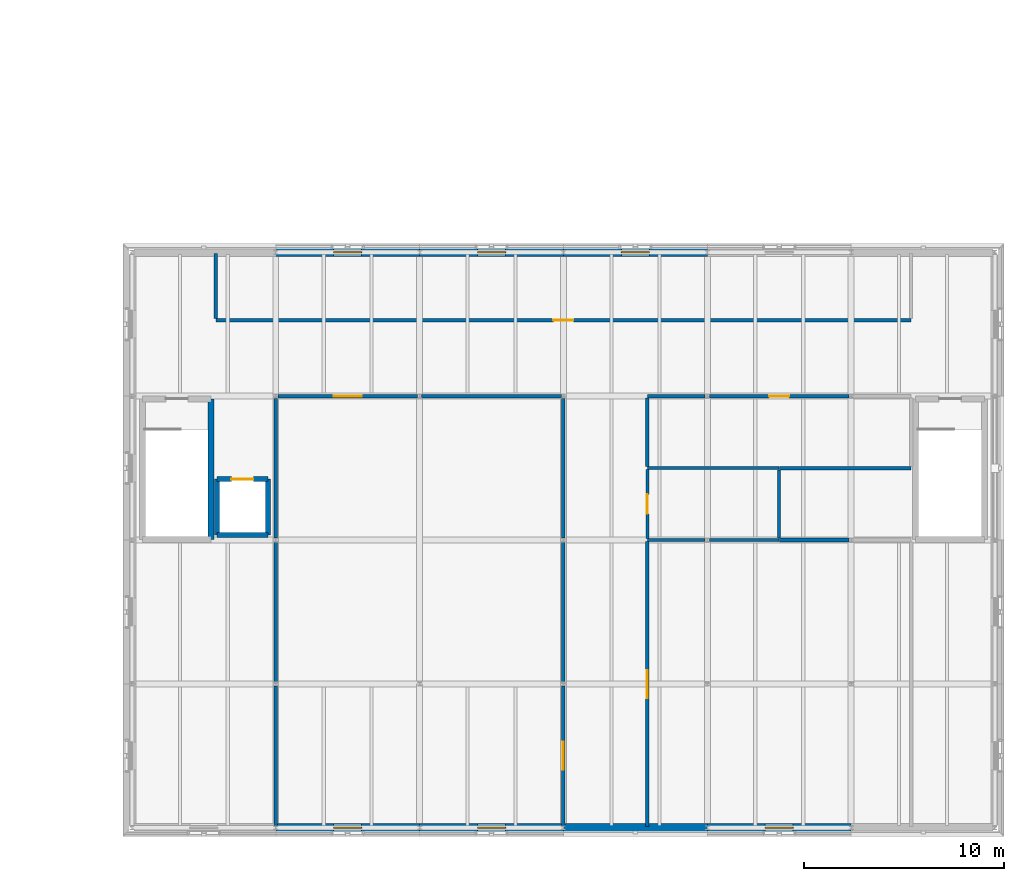
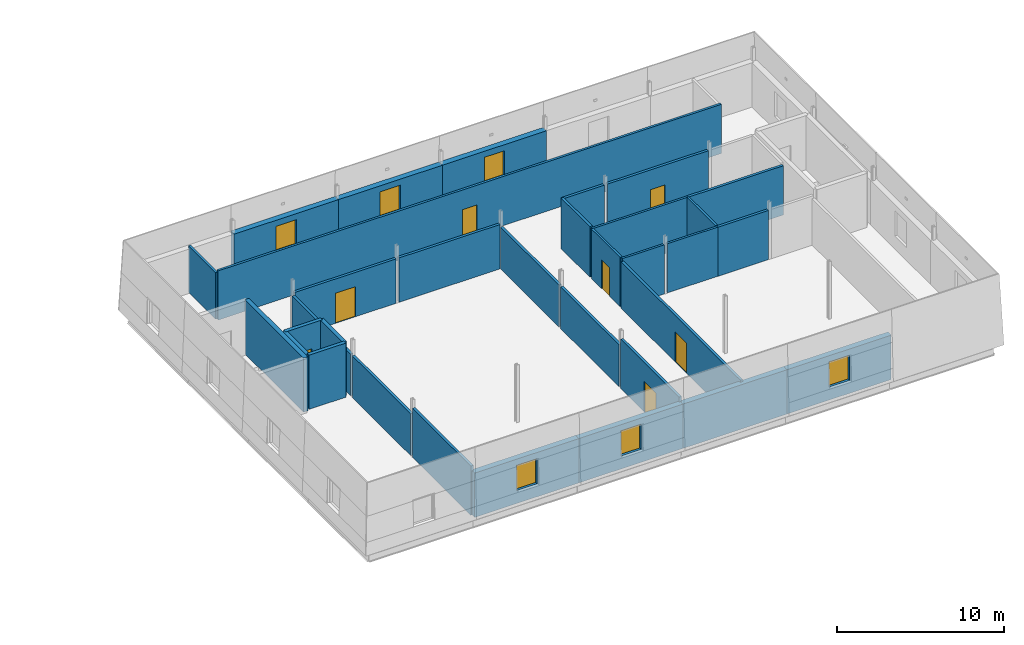
# One storey, part 65 of 91: 33 walls, 7 doors, 6 windows, 13 openings.
"""IFC4 building model written with IfcOpenShell, lengths in metres."""

from ifc_helpers import new_model, si_unit, direction, frame, frame_2d, origin, place, context, subcontext, project, spatial, rectangle, extrude, material, layer, layer_set, type_object, element, fill, save


model = new_model("IFC4")

# Units and contexts
model_context = context("Model", 3, precision=1e-05, world=origin(), true_north=direction((0.0, 1.0)))
body_context = subcontext(model_context, "Body", "Model", "MODEL_VIEW")
ifc_project = project(units=[si_unit("LENGTHUNIT", "METRE"), si_unit("AREAUNIT", "SQUARE_METRE"), si_unit("VOLUMEUNIT", "CUBIC_METRE"), si_unit("PLANEANGLEUNIT", "RADIAN"), si_unit("MASSUNIT", "GRAM", prefix="KILO")], contexts=[model_context])

# Site, building, storey
site_placement = place(None, origin())
site = spatial("IfcSite", under=ifc_project, at=site_placement, CompositionType="ELEMENT")
building_placement = place(site_placement, origin())
building = spatial("IfcBuilding", under=site, at=building_placement, Name="Narikvali Park Central Library", CompositionType="ELEMENT")
storey_placement = place(building_placement, frame((0.0, 0.0, 14.39990234375)))
storey = spatial("IfcBuildingStorey", under=building, at=storey_placement, Name="L03", CompositionType="ELEMENT", Elevation=14.39990234375)

# Walls
ifc_material_1 = material(Name="Moisture-Resistant Cement Board on Steel Studs", Category="steel")
ifc_layer_1 = layer(ifc_material_1, 0.14990234375, Name="Moisture-Resistant Cement Board on Steel Studs")
ifc_layer_set_1 = layer_set([ifc_layer_1], Name="Moisture-Resistant Cement Board on Steel Studs")
wall_type_1 = type_object("IfcWallType", Name="Moisture-Resistant WC Partition 150", PredefinedType="PARTITIONING", material=ifc_layer_set_1)
wall_1_placement = place(storey_placement, frame((148.199951171875, 14.39990234375, 0.0), z_axis=(0.0, 0.0, 1.0), x_axis=(1.0, 0.0, 0.0)))
element("IfcWall", 1, at=wall_1_placement, inside=storey, type_object=wall_type_1, Name="Upper Wing Accessible WC L03 Partition S", PredefinedType="PARTITIONING", context=body_context, shape_type="SweptSolid", body=[
    extrude(rectangle(XDim=2.89599609375, YDim=0.14990234375, at=frame_2d((1.447998046875, 0.0))), origin(), (0.0, 0.0, 1.0), 3.59521484375),
])
wall_2_placement = place(storey_placement, frame((151.303955078125, 14.39990234375, 0.0), z_axis=(0.0, 0.0, 1.0), x_axis=(1.0, 0.0, 0.0)))
element("IfcWall", 2, at=wall_2_placement, inside=storey, type_object=wall_type_1, Name="Upper Wing Accessible WC L03 Partition S", PredefinedType="PARTITIONING", context=body_context, shape_type="SweptSolid", body=[
    extrude(rectangle(XDim=3.49609375, YDim=0.14990234375, at=frame_2d((1.748046875, 0.0))), origin(), (0.0, 0.0, 1.0), 3.59521484375),
])
wall_3_placement = place(storey_placement, frame((148.199951171875, 18.0, 0.0), z_axis=(0.0, 0.0, 1.0), x_axis=(1.0, 0.0, 0.0)))
element("IfcWall", 3, at=wall_3_placement, inside=storey, type_object=wall_type_1, Name="Upper Wing Accessible WC L03 Partition N", PredefinedType="PARTITIONING", context=body_context, shape_type="SweptSolid", body=[
    extrude(rectangle(XDim=6.60009765625, YDim=0.14990234375, at=frame_2d((3.300048828125, 0.0))), origin(), (0.0, 0.0, 1.0), 3.59521484375),
])

# Wall, opening, door
wall_4_placement = place(storey_placement, frame((148.199951171875, 14.47705078125, 0.0), z_axis=(0.0, 0.0, 1.0), x_axis=(0.0, 1.0, 0.0)))
wall_4 = element("IfcWall", 4, at=wall_4_placement, inside=storey, type_object=wall_type_1, Name="Upper Wing Accessible WC L03 Partition W", PredefinedType="PARTITIONING", context=body_context, shape_type="SweptSolid", body=[
    extrude(rectangle(XDim=3.446044921875, YDim=0.14990234375, at=frame_2d((1.72314453125, 0.0))), origin(), (0.0, 0.0, 1.0), 3.625),
])
opening_1_placement = place(wall_4_placement, frame((1.23291015625, 0.0, 0.0)))
opening_1 = element("IfcOpeningElement", 5, at=opening_1_placement, cuts=wall_4, Name="Opening ID-0027", PredefinedType="OPENING", context=body_context, shape_type="SweptSolid", body=[
    extrude(rectangle(XDim=0.97998046875, YDim=2.10009765625, at=frame_2d((0.489990234375, 1.050048828125))), frame((0.0, 0.0869140625, 0.0), z_axis=(0.0, -1.0, 0.0), x_axis=(1.0, 0.0, 0.0)), (0.0, 0.0, 1.0), 0.173828125),
])
ifc_material_2 = material(Name="Laminate Faced Hardwood Core", Category="wood")
door_type_1 = type_object("IfcDoorType", Name="Accessible WC Outward-Opening Door 980x2100", OperationType="SINGLE_SWING_RIGHT", PredefinedType="DOOR", material=ifc_material_2)
door_1_placement = place(opening_1_placement, origin())
door_1 = element("IfcDoor", 6, at=door_1_placement, inside=storey, type_object=door_type_1, Name="Upper Wing Accessible WC L03 Door ID-0027", OperationType="SINGLE_SWING_LEFT", OverallHeight=2.10009765625, OverallWidth=0.97998046875, PredefinedType="DOOR", context=body_context, shape_type="SweptSolid", body=[
    extrude(rectangle(XDim=0.97998046875, YDim=2.10009765625, at=frame_2d((0.489990234375, 1.050048828125))), frame((0.0, 0.02490234375, 0.0), z_axis=(0.0, -1.0, 0.0), x_axis=(1.0, 0.0, 0.0)), (0.0, 0.0, 1.0), 0.050048828125),
])
fill(opening_1, door_1)

# Wall
wall_5_placement = place(storey_placement, frame((154.800048828125, 14.491943359375, 0.0), z_axis=(0.0, 0.0, 1.0), x_axis=(0.0, 1.0, 0.0)))
element("IfcWall", 7, at=wall_5_placement, inside=storey, type_object=wall_type_1, Name="Upper Wing Accessible WC L03 Partition E", PredefinedType="PARTITIONING", context=body_context, shape_type="SweptSolid", body=[
    extrude(rectangle(XDim=3.416015625, YDim=0.14990234375, at=frame_2d((1.7080078125, 0.0))), origin(), (0.0, 0.0, 1.0), 3.625),
])

# Wall, opening, door
ifc_material_3 = material(Name="Acoustic Gypsum on Steel Studs", Category="steel")
ifc_layer_2 = layer(ifc_material_3, 0.179931640625, Name="Acoustic Gypsum on Steel Studs")
ifc_layer_set_2 = layer_set([ifc_layer_2], Name="Acoustic Gypsum on Steel Studs")
wall_type_2 = type_object("IfcWallType", Name="Reading Room Acoustic Partition 180", PredefinedType="PARTITIONING", material=ifc_layer_set_2)
wall_6_placement = place(storey_placement, frame((129.7041015625, 21.60009765625, 0.0), z_axis=(0.0, 0.0, 1.0), x_axis=(1.0, 0.0, 0.0)))
wall_6 = element("IfcWall", 8, at=wall_6_placement, inside=storey, type_object=wall_type_2, Name="Community Reading Lounge Partition N", PredefinedType="PARTITIONING", context=body_context, shape_type="SweptSolid", body=[
    extrude(rectangle(XDim=6.991943359375, YDim=0.179931640625, at=frame_2d((3.49609375, 0.0))), origin(), (0.0, 0.0, 1.0), 3.2451171875),
])
opening_2_placement = place(wall_6_placement, frame((2.7958984375, 0.0, 0.0)))
opening_2 = element("IfcOpeningElement", 9, at=opening_2_placement, cuts=wall_6, Name="Opening ID-0166", PredefinedType="OPENING", context=body_context, shape_type="SweptSolid", body=[
    extrude(rectangle(XDim=1.39990234375, YDim=2.199951171875, at=frame_2d((0.699951171875, 1.10009765625))), frame((0.0, 0.10205078125, 0.0), z_axis=(0.0, -1.0, 0.0), x_axis=(1.0, 0.0, 0.0)), (0.0, 0.0, 1.0), 0.203857421875),
])
ifc_material_4 = material(Name="Caucasian Oak and Acoustic Glass", Category="glass")
door_type_2 = type_object("IfcDoorType", Name="Community Room Glazed Oak Door 1400x2200", OperationType="DOUBLE_DOOR_SINGLE_SWING", PredefinedType="DOOR", material=ifc_material_4)
door_2_placement = place(opening_2_placement, frame((1.39990234375, 0.0, 0.0), z_axis=(0.0, 0.0, 1.0), x_axis=(-1.0, 0.0, 0.0)))
door_2 = element("IfcDoor", 10, at=door_2_placement, inside=storey, type_object=door_type_2, Name="Community Reading Lounge Door ID-0166", OperationType="DOUBLE_DOOR_SINGLE_SWING", OverallHeight=2.199951171875, OverallWidth=1.39990234375, PredefinedType="DOOR", context=body_context, shape_type="SweptSolid", body=[
    extrude(rectangle(XDim=1.39990234375, YDim=2.199951171875, at=frame_2d((0.699951171875, 1.10009765625))), frame((0.0, 0.02490234375, 0.0), z_axis=(0.0, -1.0, 0.0), x_axis=(1.0, 0.0, 0.0)), (0.0, 0.0, 1.0), 0.050048828125),
])
fill(opening_2, door_2)

# Walls
wall_7_placement = place(storey_placement, frame((136.904052734375, 21.60009765625, 0.0), z_axis=(0.0, 0.0, 1.0), x_axis=(1.0, 0.0, 0.0)))
element("IfcWall", 11, at=wall_7_placement, inside=storey, type_object=wall_type_2, Name="Community Reading Lounge Partition N", PredefinedType="PARTITIONING", context=body_context, shape_type="SweptSolid", body=[
    extrude(rectangle(XDim=6.991943359375, YDim=0.179931640625, at=frame_2d((3.49609375, 0.0))), origin(), (0.0, 0.0, 1.0), 3.2451171875),
])
wall_8_placement = place(storey_placement, frame((154.802001953125, 14.39990234375, 0.0), z_axis=(0.0, 0.0, 1.0), x_axis=(1.0, 0.0, 0.0)))
element("IfcWall", 12, at=wall_8_placement, inside=storey, type_object=wall_type_2, Name="Park Overlook Seminar Room Partition N", PredefinedType="PARTITIONING", context=body_context, shape_type="SweptSolid", body=[
    extrude(rectangle(XDim=3.493896484375, YDim=0.179931640625, at=frame_2d((1.7470703125, 0.0))), origin(), (0.0, 0.0, 1.0), 3.59521484375),
])
wall_9_placement = place(storey_placement, frame((154.802001953125, 18.0, 0.0), z_axis=(0.0, 0.0, 1.0), x_axis=(1.0, 0.0, 0.0)))
element("IfcWall", 13, at=wall_9_placement, inside=storey, type_object=wall_type_2, Name="Upper Wing Reading Chair Store Partition S", PredefinedType="PARTITIONING", context=body_context, shape_type="SweptSolid", body=[
    extrude(rectangle(XDim=6.597900390625, YDim=0.179931640625, at=frame_2d((3.298828125, 0.0))), origin(), (0.0, 0.0, 1.0), 3.59521484375),
])
wall_10_placement = place(storey_placement, frame((148.199951171875, 21.60009765625, 0.0), z_axis=(0.0, 0.0, 1.0), x_axis=(1.0, 0.0, 0.0)))
element("IfcWall", 14, at=wall_10_placement, inside=storey, type_object=wall_type_2, Name="Upper Wing Reading Chair Store Partition N", PredefinedType="PARTITIONING", context=body_context, shape_type="SweptSolid", body=[
    extrude(rectangle(XDim=2.89599609375, YDim=0.179931640625, at=frame_2d((1.447998046875, 0.0))), origin(), (0.0, 0.0, 1.0), 3.59521484375),
])

# Wall, opening, door
wall_11_placement = place(storey_placement, frame((151.303955078125, 21.60009765625, 0.0), z_axis=(0.0, 0.0, 1.0), x_axis=(1.0, 0.0, 0.0)))
wall_11 = element("IfcWall", 15, at=wall_11_placement, inside=storey, type_object=wall_type_2, Name="Upper Wing Reading Chair Store Partition N", PredefinedType="PARTITIONING", context=body_context, shape_type="SweptSolid", body=[
    extrude(rectangle(XDim=6.991943359375, YDim=0.179931640625, at=frame_2d((3.49609375, 0.0))), origin(), (0.0, 0.0, 1.0), 3.59521484375),
])
opening_3_placement = place(wall_11_placement, frame((2.99609375, 0.0, 0.0)))
opening_3 = element("IfcOpeningElement", 16, at=opening_3_placement, cuts=wall_11, Name="Opening ID-0169", PredefinedType="OPENING", context=body_context, shape_type="SweptSolid", body=[
    extrude(rectangle(XDim=1.0, YDim=2.14990234375, at=frame_2d((0.5, 1.074951171875))), frame((0.0, 0.10205078125, 0.0), z_axis=(0.0, -1.0, 0.0), x_axis=(1.0, 0.0, 0.0)), (0.0, 0.0, 1.0), 0.203857421875),
])
ifc_material_5 = material(Name="Solid Caucasian Oak")
door_type_3 = type_object("IfcDoorType", Name="Study Room Single Oak Door 1000x2150", OperationType="SINGLE_SWING_LEFT", PredefinedType="DOOR", material=ifc_material_5)
door_3_placement = place(opening_3_placement, frame((1.0, 0.0, 0.0), z_axis=(0.0, 0.0, 1.0), x_axis=(-1.0, 0.0, 0.0)))
door_3 = element("IfcDoor", 17, at=door_3_placement, inside=storey, type_object=door_type_3, Name="Upper Wing Reading Chair Store Door ID-0169", OperationType="SINGLE_SWING_LEFT", OverallHeight=2.14990234375, OverallWidth=1.0, PredefinedType="DOOR", context=body_context, shape_type="SweptSolid", body=[
    extrude(rectangle(XDim=1.0, YDim=2.14990234375, at=frame_2d((0.5, 1.074951171875))), frame((0.0, 0.02490234375, 0.0), z_axis=(0.0, -1.0, 0.0), x_axis=(1.0, 0.0, 0.0)), (0.0, 0.0, 1.0), 0.050048828125),
])
fill(opening_3, door_3)

# Walls
wall_12_placement = place(storey_placement, frame((129.60009765625, 0.10400390625, 0.0), z_axis=(0.0, 0.0, 1.0), x_axis=(0.0, 1.0, 0.0)))
element("IfcWall", 18, at=wall_12_placement, inside=storey, type_object=wall_type_2, Name="Community Reading Lounge Partition W", PredefinedType="PARTITIONING", context=body_context, shape_type="SweptSolid", body=[
    extrude(rectangle(XDim=6.991943359375, YDim=0.179931640625, at=frame_2d((3.49609375, 0.0))), origin(), (0.0, 0.0, 1.0), 3.59521484375),
])
wall_13_placement = place(storey_placement, frame((129.60009765625, 7.303955078125, 0.0), z_axis=(0.0, 0.0, 1.0), x_axis=(0.0, 1.0, 0.0)))
element("IfcWall", 19, at=wall_13_placement, inside=storey, type_object=wall_type_2, Name="Community Reading Lounge Partition W", PredefinedType="PARTITIONING", context=body_context, shape_type="SweptSolid", body=[
    extrude(rectangle(XDim=6.991943359375, YDim=0.179931640625, at=frame_2d((3.49609375, 0.0))), origin(), (0.0, 0.0, 1.0), 3.05517578125),
])
wall_14_placement = place(storey_placement, frame((129.60009765625, 14.50390625, 0.0), z_axis=(0.0, 0.0, 1.0), x_axis=(0.0, 1.0, 0.0)))
element("IfcWall", 20, at=wall_14_placement, inside=storey, type_object=wall_type_2, Name="Community Reading Lounge Partition W", PredefinedType="PARTITIONING", context=body_context, shape_type="SweptSolid", body=[
    extrude(rectangle(XDim=6.9921875, YDim=0.179931640625, at=frame_2d((3.49609375, 0.0))), origin(), (0.0, 0.0, 1.0), 3.05517578125),
])

# Wall, opening, door
wall_15_placement = place(storey_placement, frame((144.0, 0.10400390625, 0.0), z_axis=(0.0, 0.0, 1.0), x_axis=(0.0, 1.0, 0.0)))
wall_15 = element("IfcWall", 21, at=wall_15_placement, inside=storey, type_object=wall_type_2, Name="Community Reading Lounge Partition E", PredefinedType="PARTITIONING", context=body_context, shape_type="SweptSolid", body=[
    extrude(rectangle(XDim=6.991943359375, YDim=0.179931640625, at=frame_2d((3.49609375, 0.0))), origin(), (0.0, 0.0, 1.0), 3.59521484375),
])
opening_4_placement = place(wall_15_placement, frame((2.7958984375, 0.0, 0.0)))
opening_4 = element("IfcOpeningElement", 22, at=opening_4_placement, cuts=wall_15, Name="Opening ID-0165", PredefinedType="OPENING", context=body_context, shape_type="SweptSolid", body=[
    extrude(rectangle(XDim=1.39990234375, YDim=2.199951171875, at=frame_2d((0.699951171875, 1.10009765625))), frame((0.0, 0.10205078125, 0.0), z_axis=(0.0, -1.0, 0.0), x_axis=(1.0, 0.0, 0.0)), (0.0, 0.0, 1.0), 0.203857421875),
])
door_4_placement = place(opening_4_placement, origin())
door_4 = element("IfcDoor", 23, at=door_4_placement, inside=storey, type_object=door_type_2, Name="Community Reading Lounge Door ID-0165", OperationType="DOUBLE_DOOR_SINGLE_SWING", OverallHeight=2.199951171875, OverallWidth=1.39990234375, PredefinedType="DOOR", context=body_context, shape_type="SweptSolid", body=[
    extrude(rectangle(XDim=1.39990234375, YDim=2.199951171875, at=frame_2d((0.699951171875, 1.10009765625))), frame((0.0, 0.02490234375, 0.0), z_axis=(0.0, -1.0, 0.0), x_axis=(1.0, 0.0, 0.0)), (0.0, 0.0, 1.0), 0.050048828125),
])
fill(opening_4, door_4)

# Walls
wall_16_placement = place(storey_placement, frame((144.0, 7.303955078125, 0.0), z_axis=(0.0, 0.0, 1.0), x_axis=(0.0, 1.0, 0.0)))
element("IfcWall", 24, at=wall_16_placement, inside=storey, type_object=wall_type_2, Name="Community Reading Lounge Partition E", PredefinedType="PARTITIONING", context=body_context, shape_type="SweptSolid", body=[
    extrude(rectangle(XDim=6.991943359375, YDim=0.179931640625, at=frame_2d((3.49609375, 0.0))), origin(), (0.0, 0.0, 1.0), 3.05517578125),
])
wall_17_placement = place(storey_placement, frame((144.0, 14.50390625, 0.0), z_axis=(0.0, 0.0, 1.0), x_axis=(0.0, 1.0, 0.0)))
element("IfcWall", 25, at=wall_17_placement, inside=storey, type_object=wall_type_2, Name="Community Reading Lounge Partition E", PredefinedType="PARTITIONING", context=body_context, shape_type="SweptSolid", body=[
    extrude(rectangle(XDim=6.9921875, YDim=0.179931640625, at=frame_2d((3.49609375, 0.0))), origin(), (0.0, 0.0, 1.0), 3.05517578125),
])

# Wall, opening, door
wall_18_placement = place(storey_placement, frame((148.199951171875, 0.054931640625, 0.0), z_axis=(0.0, 0.0, 1.0), x_axis=(0.0, 1.0, 0.0)))
wall_18 = element("IfcWall", 26, at=wall_18_placement, inside=storey, type_object=wall_type_2, Name="Park Overlook Seminar Room Partition W", PredefinedType="PARTITIONING", context=body_context, shape_type="SweptSolid", body=[
    extrude(rectangle(XDim=14.26806640625, YDim=0.179931640625, at=frame_2d((7.134033203125, 0.0))), origin(), (0.0, 0.0, 1.0), 3.39501953125),
])
opening_5_placement = place(wall_18_placement, frame((6.43408203125, 0.0, 0.0)))
opening_5 = element("IfcOpeningElement", 27, at=opening_5_placement, cuts=wall_18, Name="Opening ID-0168", PredefinedType="OPENING", context=body_context, shape_type="SweptSolid", body=[
    extrude(rectangle(XDim=1.39990234375, YDim=2.199951171875, at=frame_2d((0.699951171875, 1.10009765625))), frame((0.0, 0.10205078125, 0.0), z_axis=(0.0, -1.0, 0.0), x_axis=(1.0, 0.0, 0.0)), (0.0, 0.0, 1.0), 0.203857421875),
])
door_5_placement = place(opening_5_placement, frame((1.39990234375, 0.0, 0.0), z_axis=(0.0, 0.0, 1.0), x_axis=(-1.0, 0.0, 0.0)))
door_5 = element("IfcDoor", 28, at=door_5_placement, inside=storey, type_object=door_type_2, Name="Park Overlook Seminar Room Door ID-0168", OperationType="DOUBLE_DOOR_SINGLE_SWING", OverallHeight=2.199951171875, OverallWidth=1.39990234375, PredefinedType="DOOR", context=body_context, shape_type="SweptSolid", body=[
    extrude(rectangle(XDim=1.39990234375, YDim=2.199951171875, at=frame_2d((0.699951171875, 1.10009765625))), frame((0.0, 0.02490234375, 0.0), z_axis=(0.0, -1.0, 0.0), x_axis=(1.0, 0.0, 0.0)), (0.0, 0.0, 1.0), 0.050048828125),
])
fill(opening_5, door_5)

# Walls
wall_19_placement = place(storey_placement, frame((148.199951171875, 18.076904296875, 0.0), z_axis=(0.0, 0.0, 1.0), x_axis=(0.0, 1.0, 0.0)))
element("IfcWall", 29, at=wall_19_placement, inside=storey, type_object=wall_type_2, Name="Upper Wing Reading Chair Store Partition W", PredefinedType="PARTITIONING", context=body_context, shape_type="SweptSolid", body=[
    extrude(rectangle(XDim=3.43115234375, YDim=0.179931640625, at=frame_2d((1.715576171875, 0.0))), origin(), (0.0, 0.0, 1.0), 3.695068359375),
])
ifc_material_6 = material(Name="Concrete C40/50", Category="concrete")
ifc_layer_3 = layer(ifc_material_6, 0.25, Name="Concrete C40/50")
ifc_layer_set_3 = layer_set([ifc_layer_3], Name="Concrete C40/50")
wall_type_3 = type_object("IfcWallType", Name="Reinforced Concrete Lift Shaft Wall 250", PredefinedType="SHEAR", material=ifc_layer_set_3)
wall_20_placement = place(storey_placement, frame((126.64990234375, 14.64990234375, 0.0), z_axis=(0.0, 0.0, 1.0), x_axis=(1.0, 0.0, 0.0)))
element("IfcWall", 30, at=wall_20_placement, inside=storey, type_object=wall_type_3, Name="L-07 L03 Lift Shaft Wall S", PredefinedType="SHEAR", context=body_context, shape_type="SweptSolid", body=[
    extrude(rectangle(XDim=2.550048828125, YDim=0.25, at=frame_2d((1.27490234375, 0.0))), origin(), (0.0, 0.0, 1.0), 3.960205078125),
])
wall_21_placement = place(storey_placement, frame((129.199951171875, 14.64990234375, 0.0), z_axis=(0.0, 0.0, 1.0), x_axis=(0.0, 1.0, 0.0)))
element("IfcWall", 31, at=wall_21_placement, inside=storey, type_object=wall_type_3, Name="L-07 L03 Lift Shaft Wall E", PredefinedType="SHEAR", context=body_context, shape_type="SweptSolid", body=[
    extrude(rectangle(XDim=2.800048828125, YDim=0.25, at=frame_2d((1.39990234375, 0.0))), origin(), (0.0, 0.0, 1.0), 3.960205078125),
])

# Wall, opening, door
wall_22_placement = place(storey_placement, frame((129.199951171875, 17.449951171875, 0.0), z_axis=(0.0, 0.0, 1.0), x_axis=(-1.0, 0.0, 0.0)))
wall_22 = element("IfcWall", 32, at=wall_22_placement, inside=storey, type_object=wall_type_3, Name="L-07 L03 Lift Shaft Wall N", PredefinedType="SHEAR", context=body_context, shape_type="SweptSolid", body=[
    extrude(rectangle(XDim=2.550048828125, YDim=0.25, at=frame_2d((1.27490234375, 0.0))), origin(), (0.0, 0.0, 1.0), 3.960205078125),
])
opening_6_placement = place(wall_22_placement, frame((0.72509765625, 0.0, 0.0)))
opening_6 = element("IfcOpeningElement", 33, at=opening_6_placement, cuts=wall_22, Name="Opening LD-052", PredefinedType="OPENING", context=body_context, shape_type="SweptSolid", body=[
    extrude(rectangle(XDim=1.10009765625, YDim=2.10009765625, at=frame_2d((0.550048828125, 1.050048828125))), frame((0.0, 0.136962890625, 0.0), z_axis=(0.0, -1.0, 0.0), x_axis=(1.0, 0.0, 0.0)), (0.0, 0.0, 1.0), 0.27392578125),
])
ifc_material_7 = material(Name="Brushed Stainless Steel S355", Category="steel")
door_type_4 = type_object("IfcDoorType", Name="Passenger Lift Sliding Landing Door 1100x2100", OperationType="SLIDING_TO_LEFT", PredefinedType="DOOR", material=ifc_material_7)
door_6_placement = place(opening_6_placement, origin())
door_6 = element("IfcDoor", 34, at=door_6_placement, inside=storey, type_object=door_type_4, Name="L-07 L03 Lift Landing Sliding Door LD-052", OperationType="SLIDING_TO_LEFT", OverallHeight=2.10009765625, OverallWidth=1.10009765625, PredefinedType="DOOR", context=body_context, shape_type="SweptSolid", body=[
    extrude(rectangle(XDim=1.10009765625, YDim=2.10009765625, at=frame_2d((0.550048828125, 1.050048828125))), frame((0.0, 0.02490234375, 0.0), z_axis=(0.0, -1.0, 0.0), x_axis=(1.0, 0.0, 0.0)), (0.0, 0.0, 1.0), 0.050048828125),
])
fill(opening_6, door_6)

# Walls
wall_23_placement = place(storey_placement, frame((126.64990234375, 17.449951171875, 0.0), z_axis=(0.0, 0.0, 1.0), x_axis=(0.0, -1.0, 0.0)))
element("IfcWall", 35, at=wall_23_placement, inside=storey, type_object=wall_type_3, Name="L-07 L03 Lift Shaft Wall W", PredefinedType="SHEAR", context=body_context, shape_type="SweptSolid", body=[
    extrude(rectangle(XDim=2.800048828125, YDim=0.25, at=frame_2d((1.39990234375, 0.0))), origin(), (0.0, 0.0, 1.0), 3.960205078125),
])
ifc_layer_4 = layer(ifc_material_6, 0.300048828125, Name="Concrete C40/50")
ifc_layer_set_4 = layer_set([ifc_layer_4], Name="Concrete C40/50")
wall_type_4 = type_object("IfcWallType", Name="Reinforced Concrete Shear Wall 300", PredefinedType="SHEAR", material=ifc_layer_set_4)
wall_24_placement = place(storey_placement, frame((126.3701171875, 14.429931640625, 0.0), z_axis=(0.0, 0.0, 1.0), x_axis=(0.0, 1.0, 0.0)))
element("IfcWall", 36, at=wall_24_placement, inside=storey, type_object=wall_type_4, Name="C6A L03 Stair Core Shear Wall E", PredefinedType="SHEAR", context=body_context, shape_type="SweptSolid", body=[
    extrude(rectangle(XDim=7.0400390625, YDim=0.300048828125, at=frame_2d((3.52001953125, 0.0))), origin(), (0.0, 0.0, 1.0), 3.960205078125),
])

# Wall, opening, door
ifc_material_8 = material(Name="Gypsum Board on Galvanised Steel Studs", Category="steel")
ifc_layer_5 = layer(ifc_material_8, 0.159912109375, Name="Gypsum Board on Galvanised Steel Studs")
ifc_layer_set_5 = layer_set([ifc_layer_5], Name="Gypsum Board on Galvanised Steel Studs")
wall_type_5 = type_object("IfcWallType", Name="Study Room Partition Wall 160", PredefinedType="PARTITIONING", material=ifc_layer_set_5)
wall_25_placement = place(storey_placement, frame((126.60009765625, 25.39990234375, 0.0), z_axis=(0.0, 0.0, 1.0), x_axis=(1.0, 0.0, 0.0)))
wall_25 = element("IfcWall", 37, at=wall_25_placement, inside=storey, type_object=wall_type_5, Name="Cloister Overlook Quiet Study Room Partition S", PredefinedType="PARTITIONING", context=body_context, shape_type="SweptSolid", body=[
    extrude(rectangle(XDim=34.7998046875, YDim=0.159912109375, at=frame_2d((17.39990234375, 0.0))), origin(), (0.0, 0.0, 1.0), 3.59521484375),
])
opening_7_placement = place(wall_25_placement, frame((16.89990234375, 0.0, 0.0)))
opening_7 = element("IfcOpeningElement", 38, at=opening_7_placement, cuts=wall_25, Name="Opening ID-0167", PredefinedType="OPENING", context=body_context, shape_type="SweptSolid", body=[
    extrude(rectangle(XDim=1.0, YDim=2.14990234375, at=frame_2d((0.5, 1.074951171875))), frame((0.0, 0.091796875, 0.0), z_axis=(0.0, -1.0, 0.0), x_axis=(1.0, 0.0, 0.0)), (0.0, 0.0, 1.0), 0.183837890625),
])
door_7_placement = place(opening_7_placement, origin())
door_7 = element("IfcDoor", 39, at=door_7_placement, inside=storey, type_object=door_type_3, Name="Cloister Overlook Quiet Study Room Door ID-0167", OperationType="SINGLE_SWING_LEFT", OverallHeight=2.14990234375, OverallWidth=1.0, PredefinedType="DOOR", context=body_context, shape_type="SweptSolid", body=[
    extrude(rectangle(XDim=1.0, YDim=2.14990234375, at=frame_2d((0.5, 1.074951171875))), frame((0.0, 0.02490234375, 0.0), z_axis=(0.0, -1.0, 0.0), x_axis=(1.0, 0.0, 0.0)), (0.0, 0.0, 1.0), 0.050048828125),
])
fill(opening_7, door_7)

# Wall
wall_26_placement = place(storey_placement, frame((126.60009765625, 25.48193359375, 0.0), z_axis=(0.0, 0.0, 1.0), x_axis=(0.0, 1.0, 0.0)))
element("IfcWall", 40, at=wall_26_placement, inside=storey, type_object=wall_type_5, Name="Cloister Overlook Quiet Study Room Partition W", PredefinedType="PARTITIONING", context=body_context, shape_type="SweptSolid", body=[
    extrude(rectangle(XDim=3.26318359375, YDim=0.159912109375, at=frame_2d((1.631591796875, 0.0))), origin(), (0.0, 0.0, 1.0), 3.39501953125),
])

# Wall, opening, window
ifc_material_9 = material(Name="White Honed Limestone over Concrete C35/45", Category="masonry")
ifc_layer_6 = layer(ifc_material_9, 0.39990234375, Name="White Honed Limestone over Concrete C35/45")
ifc_layer_set_6 = layer_set([ifc_layer_6], Name="White Honed Limestone over Concrete C35/45")
wall_type_6 = type_object("IfcWallType", Name="White Limestone Battered Tier3 Wall 400", PredefinedType="SOLIDWALL", material=ifc_layer_set_6)
wall_27_placement = place(storey_placement, frame((129.60009765625, 0.0, 0.0), z_axis=(0.0, 0.0, 1.0), x_axis=(1.0, 0.0, 0.0)))
wall_27 = element("IfcWall", 41, at=wall_27_placement, inside=storey, type_object=wall_type_6, Name="V6 L03 S Exterior Limestone Wall B02", PredefinedType="SOLIDWALL", context=body_context, shape_type="SweptSolid", body=[
    extrude(rectangle(XDim=7.199951171875, YDim=0.39990234375, at=frame_2d((3.60009765625, 0.0))), origin(), (0.0, 0.0, 1.0), 3.239990234375),
])
opening_8_placement = place(wall_27_placement, frame((2.89990234375, 0.0, 0.949951171875)))
opening_8 = element("IfcOpeningElement", 42, at=opening_8_placement, cuts=wall_27, Name="Opening WIN-0401", PredefinedType="OPENING", context=body_context, shape_type="SweptSolid", body=[
    extrude(rectangle(XDim=1.39990234375, YDim=1.85009765625, at=frame_2d((0.699951171875, 0.925048828125))), frame((0.0, 0.2119140625, 0.0), z_axis=(0.0, -1.0, 0.0), x_axis=(1.0, 0.0, 0.0)), (0.0, 0.0, 1.0), 0.423828125),
])
ifc_material_10 = material(Name="Anodised Bronze Aluminium and Low-E Triple Glazing", Category="aluminium")
window_type = type_object("IfcWindowType", Name="Service & Administration Casement Window 1400x1850", PartitioningType="DOUBLE_PANEL_VERTICAL", PredefinedType="WINDOW", material=ifc_material_10)
window_1_placement = place(opening_8_placement, origin())
window_1 = element("IfcWindow", 43, at=window_1_placement, inside=storey, type_object=window_type, Name="V6 L03 S Deep-Reveal Window WIN-0401", OverallHeight=1.85009765625, OverallWidth=1.39990234375, PartitioningType="SINGLE_PANEL", PredefinedType="WINDOW", context=body_context, shape_type="SweptSolid", body=[
    extrude(rectangle(XDim=1.39990234375, YDim=1.85009765625, at=frame_2d((0.699951171875, 0.925048828125))), frame((0.0, 0.030029296875, 0.0), z_axis=(0.0, -1.0, 0.0), x_axis=(1.0, 0.0, 0.0)), (0.0, 0.0, 1.0), 0.06005859375),
])
fill(opening_8, window_1)

wall_28_placement = place(storey_placement, frame((136.800048828125, 0.0, 0.0), z_axis=(0.0, 0.0, 1.0), x_axis=(1.0, 0.0, 0.0)))
wall_28 = element("IfcWall", 44, at=wall_28_placement, inside=storey, type_object=wall_type_6, Name="V6 L03 S Exterior Limestone Wall B03", PredefinedType="SOLIDWALL", context=body_context, shape_type="SweptSolid", body=[
    extrude(rectangle(XDim=7.199951171875, YDim=0.39990234375, at=frame_2d((3.60009765625, 0.0))), origin(), (0.0, 0.0, 1.0), 3.239990234375),
])
opening_9_placement = place(wall_28_placement, frame((2.89990234375, 0.0, 0.949951171875)))
opening_9 = element("IfcOpeningElement", 45, at=opening_9_placement, cuts=wall_28, Name="Opening WIN-0402", PredefinedType="OPENING", context=body_context, shape_type="SweptSolid", body=[
    extrude(rectangle(XDim=1.39990234375, YDim=1.85009765625, at=frame_2d((0.699951171875, 0.925048828125))), frame((0.0, 0.2119140625, 0.0), z_axis=(0.0, -1.0, 0.0), x_axis=(1.0, 0.0, 0.0)), (0.0, 0.0, 1.0), 0.423828125),
])
window_2_placement = place(opening_9_placement, origin())
window_2 = element("IfcWindow", 46, at=window_2_placement, inside=storey, type_object=window_type, Name="V6 L03 S Deep-Reveal Window WIN-0402", OverallHeight=1.85009765625, OverallWidth=1.39990234375, PartitioningType="SINGLE_PANEL", PredefinedType="WINDOW", context=body_context, shape_type="SweptSolid", body=[
    extrude(rectangle(XDim=1.39990234375, YDim=1.85009765625, at=frame_2d((0.699951171875, 0.925048828125))), frame((0.0, 0.030029296875, 0.0), z_axis=(0.0, -1.0, 0.0), x_axis=(1.0, 0.0, 0.0)), (0.0, 0.0, 1.0), 0.06005859375),
])
fill(opening_9, window_2)

# Wall
wall_29_placement = place(storey_placement, frame((144.0, 0.0, 0.0), z_axis=(0.0, 0.0, 1.0), x_axis=(1.0, 0.0, 0.0)))
element("IfcWall", 47, at=wall_29_placement, inside=storey, type_object=wall_type_6, Name="V6 L03 S Exterior Limestone Wall B04", PredefinedType="SOLIDWALL", context=body_context, shape_type="SweptSolid", body=[
    extrude(rectangle(XDim=7.199951171875, YDim=0.39990234375, at=frame_2d((3.60009765625, 0.0))), origin(), (0.0, 0.0, 1.0), 3.239990234375),
])

# Wall, opening, window
wall_30_placement = place(storey_placement, frame((151.199951171875, 0.0, 0.0), z_axis=(0.0, 0.0, 1.0), x_axis=(1.0, 0.0, 0.0)))
wall_30 = element("IfcWall", 48, at=wall_30_placement, inside=storey, type_object=wall_type_6, Name="V6 L03 S Exterior Limestone Wall B05", PredefinedType="SOLIDWALL", context=body_context, shape_type="SweptSolid", body=[
    extrude(rectangle(XDim=7.199951171875, YDim=0.39990234375, at=frame_2d((3.60009765625, 0.0))), origin(), (0.0, 0.0, 1.0), 3.239990234375),
])
opening_10_placement = place(wall_30_placement, frame((2.89990234375, 0.0, 0.949951171875)))
opening_10 = element("IfcOpeningElement", 49, at=opening_10_placement, cuts=wall_30, Name="Opening WIN-0403", PredefinedType="OPENING", context=body_context, shape_type="SweptSolid", body=[
    extrude(rectangle(XDim=1.39990234375, YDim=1.85009765625, at=frame_2d((0.699951171875, 0.925048828125))), frame((0.0, 0.2119140625, 0.0), z_axis=(0.0, -1.0, 0.0), x_axis=(1.0, 0.0, 0.0)), (0.0, 0.0, 1.0), 0.423828125),
])
window_3_placement = place(opening_10_placement, origin())
window_3 = element("IfcWindow", 50, at=window_3_placement, inside=storey, type_object=window_type, Name="V6 L03 S Deep-Reveal Window WIN-0403", OverallHeight=1.85009765625, OverallWidth=1.39990234375, PartitioningType="SINGLE_PANEL", PredefinedType="WINDOW", context=body_context, shape_type="SweptSolid", body=[
    extrude(rectangle(XDim=1.39990234375, YDim=1.85009765625, at=frame_2d((0.699951171875, 0.925048828125))), frame((0.0, 0.030029296875, 0.0), z_axis=(0.0, -1.0, 0.0), x_axis=(1.0, 0.0, 0.0)), (0.0, 0.0, 1.0), 0.06005859375),
])
fill(opening_10, window_3)

wall_31_placement = place(storey_placement, frame((151.199951171875, 28.800048828125, 0.0), z_axis=(0.0, 0.0, 1.0), x_axis=(-1.0, 0.0, 0.0)))
wall_31 = element("IfcWall", 51, at=wall_31_placement, inside=storey, type_object=wall_type_6, Name="V6 L03 N Exterior Limestone Wall B03", PredefinedType="SOLIDWALL", context=body_context, shape_type="SweptSolid", body=[
    extrude(rectangle(XDim=7.199951171875, YDim=0.39990234375, at=frame_2d((3.60009765625, 0.0))), origin(), (0.0, 0.0, 1.0), 3.239990234375),
])
opening_11_placement = place(wall_31_placement, frame((2.89990234375, 0.0, 0.949951171875)))
opening_11 = element("IfcOpeningElement", 52, at=opening_11_placement, cuts=wall_31, Name="Opening WIN-0408", PredefinedType="OPENING", context=body_context, shape_type="SweptSolid", body=[
    extrude(rectangle(XDim=1.39990234375, YDim=1.85009765625, at=frame_2d((0.699951171875, 0.925048828125))), frame((0.0, 0.2119140625, 0.0), z_axis=(0.0, -1.0, 0.0), x_axis=(1.0, 0.0, 0.0)), (0.0, 0.0, 1.0), 0.423828125),
])
window_4_placement = place(opening_11_placement, origin())
window_4 = element("IfcWindow", 53, at=window_4_placement, inside=storey, type_object=window_type, Name="V6 L03 N Deep-Reveal Window WIN-0408", OverallHeight=1.85009765625, OverallWidth=1.39990234375, PartitioningType="SINGLE_PANEL", PredefinedType="WINDOW", context=body_context, shape_type="SweptSolid", body=[
    extrude(rectangle(XDim=1.39990234375, YDim=1.85009765625, at=frame_2d((0.699951171875, 0.925048828125))), frame((0.0, 0.030029296875, 0.0), z_axis=(0.0, -1.0, 0.0), x_axis=(1.0, 0.0, 0.0)), (0.0, 0.0, 1.0), 0.06005859375),
])
fill(opening_11, window_4)

wall_32_placement = place(storey_placement, frame((144.0, 28.800048828125, 0.0), z_axis=(0.0, 0.0, 1.0), x_axis=(-1.0, 0.0, 0.0)))
wall_32 = element("IfcWall", 54, at=wall_32_placement, inside=storey, type_object=wall_type_6, Name="V6 L03 N Exterior Limestone Wall B04", PredefinedType="SOLIDWALL", context=body_context, shape_type="SweptSolid", body=[
    extrude(rectangle(XDim=7.199951171875, YDim=0.39990234375, at=frame_2d((3.60009765625, 0.0))), origin(), (0.0, 0.0, 1.0), 3.239990234375),
])
opening_12_placement = place(wall_32_placement, frame((2.89990234375, 0.0, 0.949951171875)))
opening_12 = element("IfcOpeningElement", 55, at=opening_12_placement, cuts=wall_32, Name="Opening WIN-0409", PredefinedType="OPENING", context=body_context, shape_type="SweptSolid", body=[
    extrude(rectangle(XDim=1.39990234375, YDim=1.85009765625, at=frame_2d((0.699951171875, 0.925048828125))), frame((0.0, 0.2119140625, 0.0), z_axis=(0.0, -1.0, 0.0), x_axis=(1.0, 0.0, 0.0)), (0.0, 0.0, 1.0), 0.423828125),
])
window_5_placement = place(opening_12_placement, origin())
window_5 = element("IfcWindow", 56, at=window_5_placement, inside=storey, type_object=window_type, Name="V6 L03 N Deep-Reveal Window WIN-0409", OverallHeight=1.85009765625, OverallWidth=1.39990234375, PartitioningType="SINGLE_PANEL", PredefinedType="WINDOW", context=body_context, shape_type="SweptSolid", body=[
    extrude(rectangle(XDim=1.39990234375, YDim=1.85009765625, at=frame_2d((0.699951171875, 0.925048828125))), frame((0.0, 0.030029296875, 0.0), z_axis=(0.0, -1.0, 0.0), x_axis=(1.0, 0.0, 0.0)), (0.0, 0.0, 1.0), 0.06005859375),
])
fill(opening_12, window_5)

wall_33_placement = place(storey_placement, frame((136.800048828125, 28.800048828125, 0.0), z_axis=(0.0, 0.0, 1.0), x_axis=(-1.0, 0.0, 0.0)))
wall_33 = element("IfcWall", 57, at=wall_33_placement, inside=storey, type_object=wall_type_6, Name="V6 L03 N Exterior Limestone Wall B05", PredefinedType="SOLIDWALL", context=body_context, shape_type="SweptSolid", body=[
    extrude(rectangle(XDim=7.199951171875, YDim=0.39990234375, at=frame_2d((3.60009765625, 0.0))), origin(), (0.0, 0.0, 1.0), 3.239990234375),
])
opening_13_placement = place(wall_33_placement, frame((2.89990234375, 0.0, 0.949951171875)))
opening_13 = element("IfcOpeningElement", 58, at=opening_13_placement, cuts=wall_33, Name="Opening WIN-0410", PredefinedType="OPENING", context=body_context, shape_type="SweptSolid", body=[
    extrude(rectangle(XDim=1.39990234375, YDim=1.85009765625, at=frame_2d((0.699951171875, 0.925048828125))), frame((0.0, 0.2119140625, 0.0), z_axis=(0.0, -1.0, 0.0), x_axis=(1.0, 0.0, 0.0)), (0.0, 0.0, 1.0), 0.423828125),
])
window_6_placement = place(opening_13_placement, origin())
window_6 = element("IfcWindow", 59, at=window_6_placement, inside=storey, type_object=window_type, Name="V6 L03 N Deep-Reveal Window WIN-0410", OverallHeight=1.85009765625, OverallWidth=1.39990234375, PartitioningType="SINGLE_PANEL", PredefinedType="WINDOW", context=body_context, shape_type="SweptSolid", body=[
    extrude(rectangle(XDim=1.39990234375, YDim=1.85009765625, at=frame_2d((0.699951171875, 0.925048828125))), frame((0.0, 0.030029296875, 0.0), z_axis=(0.0, -1.0, 0.0), x_axis=(1.0, 0.0, 0.0)), (0.0, 0.0, 1.0), 0.06005859375),
])
fill(opening_13, window_6)

save(model, "model.ifc")
